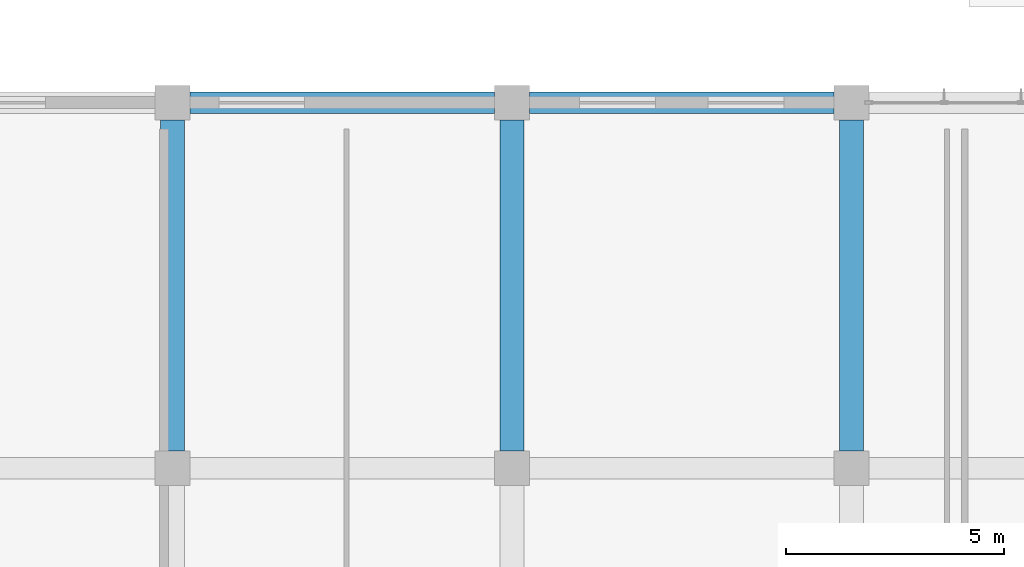
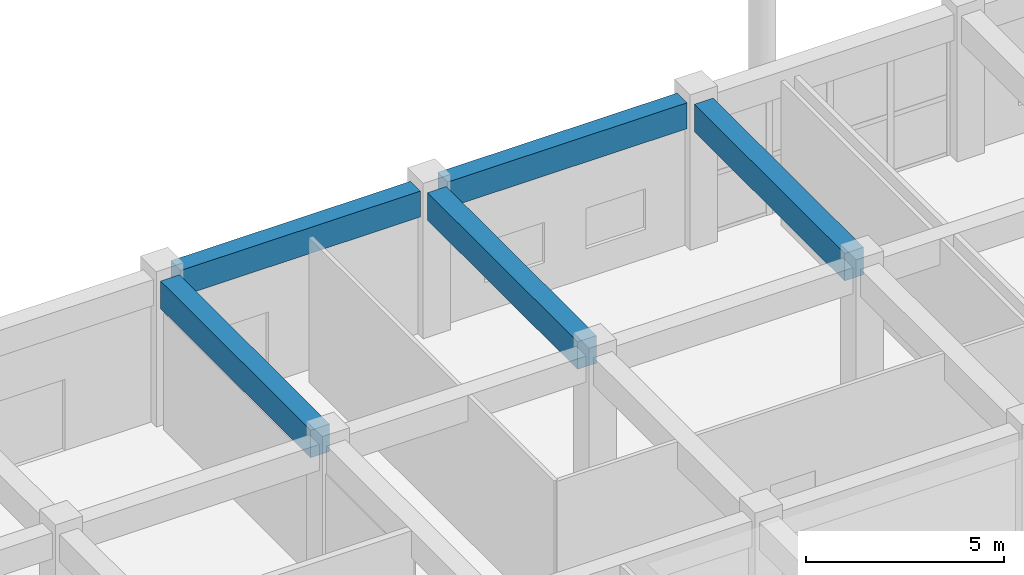
# One storey, part 95 of 139: 5 beams.
"""IFC4 building model written with IfcOpenShell, lengths in metres."""

from ifc_helpers import new_model, si_unit, direction, frame, origin, origin_2d, place, context, subcontext, project, spatial, rectangle, extrude, material, material_profile, profile_set, type_object, element, save


model = new_model("IFC4")

# Units and contexts
model_context = context("Model", 3, precision=1e-05, world=origin(), true_north=direction((0.0, 1.0)))
body_context = subcontext(model_context, "Body", "Model", "MODEL_VIEW")
ifc_project = project(units=[si_unit("LENGTHUNIT", "METRE"), si_unit("AREAUNIT", "SQUARE_METRE"), si_unit("VOLUMEUNIT", "CUBIC_METRE"), si_unit("PLANEANGLEUNIT", "RADIAN"), si_unit("MASSUNIT", "GRAM", prefix="KILO")], contexts=[model_context])

# Site, building, storey
site_placement = place(None, origin())
site = spatial("IfcSite", under=ifc_project, at=site_placement, CompositionType="ELEMENT")
building_placement = place(site_placement, origin())
building = spatial("IfcBuilding", under=site, at=building_placement, Name="Zizhar Promenade General Hospital", CompositionType="ELEMENT")
storey_placement = place(building_placement, origin())
storey = spatial("IfcBuildingStorey", under=building, at=storey_placement, Name="L00", CompositionType="ELEMENT", Elevation=0.0)

# Beams
ifc_material_1 = material(Name="Concrete C35/45", Category="concrete")
ifc_material_profile_1 = material_profile(ifc_material_1, rectangle(XDim=0.5, YDim=0.800048828125, at=origin_2d()))
ifc_profile_set_1 = profile_set([ifc_material_profile_1], Name="Concrete C35/45")
beam_type_1 = type_object("IfcBeamType", Name="BM-RC-500x800", PredefinedType="BEAM", material=ifc_profile_set_1)
for number, where, z_axis, x_axis, name in (
    (1, (70.60009765625, 134.39990234375, 4.070068359375), (1.0, 0.0, 0.0), (0.0, 1.0, 0.0), "Grid Beam X L00 (9-16)"),
    (2, (78.39990234375, 134.39990234375, 4.070068359375), (1.0, 0.0, 0.0), (0.0, 1.0, 0.0), "Grid Beam X L00 (10-16)"),
):
    element("IfcBeam", number, at=place(storey_placement, frame(where, z_axis=z_axis, x_axis=x_axis)), inside=storey, type_object=beam_type_1, Name=name, PredefinedType="BEAM", context=body_context, shape_type="SweptSolid", body=[
        extrude(rectangle(XDim=0.5, YDim=0.800048828125, at=origin_2d()), origin(), (0.0, 0.0, 1.0), 7.0),
    ])
ifc_material_2 = material(Name="Concrete C35/45", Category="concrete")
ifc_material_profile_2 = material_profile(ifc_material_2, rectangle(XDim=0.550048828125, YDim=0.85009765625, at=origin_2d()))
ifc_profile_set_2 = profile_set([ifc_material_profile_2], Name="Concrete C35/45")
beam_type_2 = type_object("IfcBeamType", Name="BM-RC-550x850", PredefinedType="BEAM", material=ifc_profile_set_2)
for number, where, z_axis, x_axis, name in (
    (3, (70.199951171875, 126.39990234375, 4.044921875), (0.0, 1.0, 0.0), (-1.0, 0.0, 0.0), "Grid Beam Y L00 (9-15)"),
    (4, (78.0, 126.39990234375, 4.044921875), (0.0, 1.0, 0.0), (-1.0, 0.0, 0.0), "Grid Beam Y L00 (10-15)"),
    (5, (85.800048828125, 126.39990234375, 4.044921875), (0.0, 1.0, 0.0), (-1.0, 0.0, 0.0), "Grid Beam Y L00 (11-15)"),
):
    element("IfcBeam", number, at=place(storey_placement, frame(where, z_axis=z_axis, x_axis=x_axis)), inside=storey, type_object=beam_type_2, Name=name, PredefinedType="BEAM", context=body_context, shape_type="SweptSolid", body=[
        extrude(rectangle(XDim=0.550048828125, YDim=0.85009765625, at=origin_2d()), origin(), (0.0, 0.0, 1.0), 7.60009765625),
    ])

save(model, "model.ifc")
